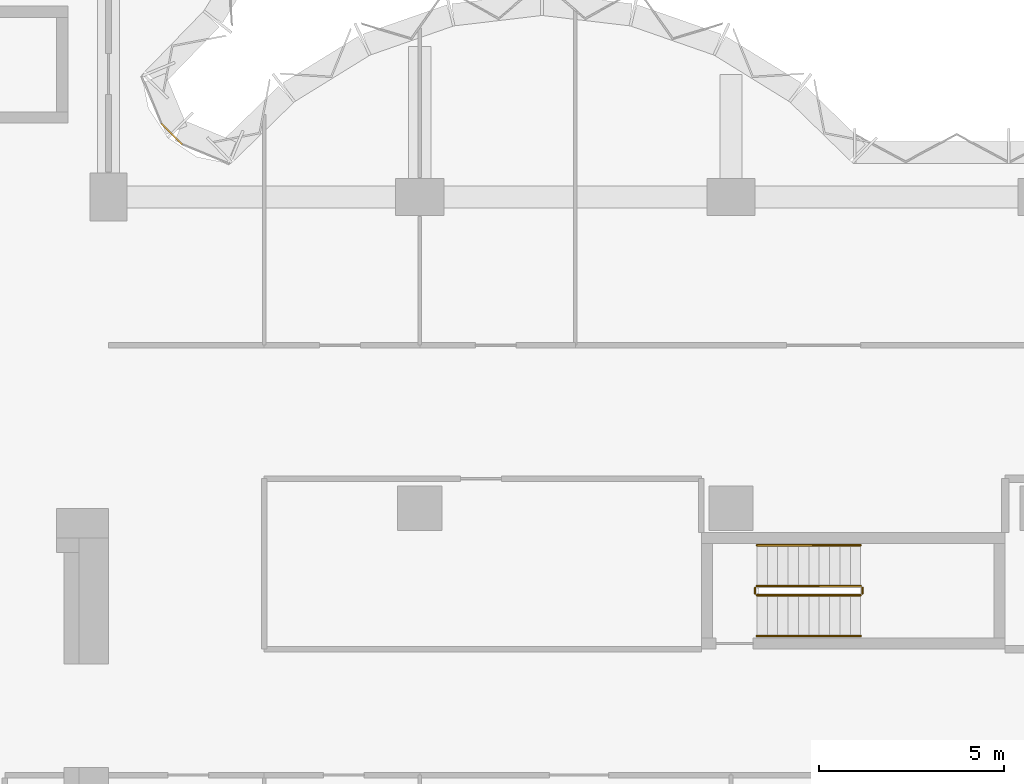
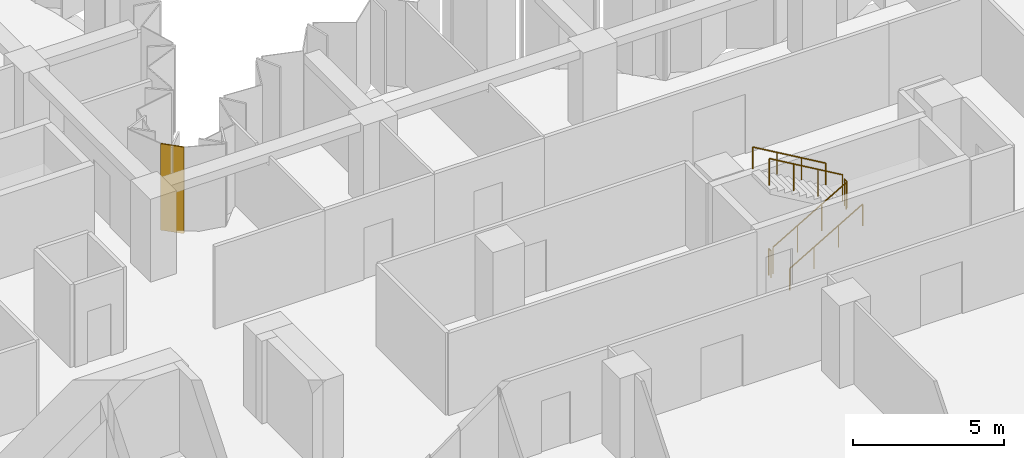
# One storey, part 13 of 13: 6 railings, 1 covering, 1 element without a shape of its own.
"""IFC4 building model written with IfcOpenShell, lengths in metres."""

from ifc_helpers import new_model, si_unit, direction, frame, origin, origin_2d, place, context, subcontext, project, spatial, polyline, circle, outline, extrude, material, layer, layer_set, type_object, element, aggregate, save


model = new_model("IFC4")

# Units and contexts
model_context = context("Model", 3, precision=1e-05, world=origin(), true_north=direction((0.0, 1.0)))
body_context = subcontext(model_context, "Body", "Model", "MODEL_VIEW")
ifc_project = project(units=[si_unit("LENGTHUNIT", "METRE"), si_unit("AREAUNIT", "SQUARE_METRE"), si_unit("VOLUMEUNIT", "CUBIC_METRE"), si_unit("PLANEANGLEUNIT", "RADIAN"), si_unit("MASSUNIT", "GRAM", prefix="KILO")], contexts=[model_context])

# Site, building, storey
site_placement = place(None, origin())
site = spatial("IfcSite", under=ifc_project, at=site_placement, CompositionType="ELEMENT")
building_placement = place(site_placement, origin())
building = spatial("IfcBuilding", under=site, at=building_placement, Name="Brevane Broadcast Tower", CompositionType="ELEMENT")
storey_placement = place(building_placement, frame((0.0, 0.0, 116.89990234375)))
storey = spatial("IfcBuildingStorey", under=building, at=storey_placement, Name="L28", CompositionType="ELEMENT", Elevation=116.89990234375)

# Railings
ifc_material_1 = material(Name="Steel S355", Category="steel")
railing_type_1 = type_object("IfcRailingType", Name="Exit stair guard", PredefinedType="GUARDRAIL", material=ifc_material_1)
railing_1_placement = place(storey_placement, frame((42.699951171875, 14.449951171875, 0.163818359375)))
element("IfcRailing", 1, at=railing_1_placement, inside=storey, type_object=railing_type_1, Name="L28 ST-4 stair guard 1", PredefinedType="GUARDRAIL", context=body_context, shape_type="SweptSolid", body=[
    extrude(circle(Radius=0.02392578125, at=origin_2d()), frame((0.0, 0.0, 1.076171875), z_axis=(0.863393664356, 0.0, 0.504530851732), x_axis=(0.0, 1.0, 0.0)), (0.0, 0.0, 1.0), 3.2431640625),
    extrude(circle(Radius=0.02099609375, at=origin_2d()), origin(), (0.0, 0.0, 1.0), 1.052001953125),
    extrude(circle(Radius=0.02099609375, at=origin_2d()), frame((0.933349609375, 0.0, 0.54541015625)), (0.0, 0.0, 1.0), 1.052001953125),
    extrude(circle(Radius=0.02099609375, at=origin_2d()), frame((1.86669921875, 0.0, 1.0908203125)), (0.0, 0.0, 1.0), 1.052001953125),
    extrude(circle(Radius=0.02099609375, at=origin_2d()), frame((2.800048828125, 0.0, 1.63623046875)), (0.0, 0.0, 1.0), 1.052001953125),
])
railing_2_placement = place(storey_placement, frame((45.550048828125, 14.5, 1.800048828125)))
element("IfcRailing", 2, at=railing_2_placement, inside=storey, type_object=railing_type_1, Name="L28 ST-4 stair guard 2", PredefinedType="GUARDRAIL", context=body_context, shape_type="SweptSolid", body=[
    extrude(circle(Radius=0.02392578125, at=origin_2d()), frame((0.0, 0.0, 1.076171875), z_axis=(0.0, 1.0, 0.0), x_axis=(-1.0, 0.0, 0.0)), (0.0, 0.0, 1.0), 0.14990234375),
    extrude(circle(Radius=0.02099609375, at=origin_2d()), origin(), (0.0, 0.0, 1.0), 1.052001953125),
    extrude(circle(Radius=0.02099609375, at=origin_2d()), frame((0.0, 0.14990234375, 0.0)), (0.0, 0.0, 1.0), 1.052001953125),
])
railing_3_placement = place(storey_placement, frame((45.5, 14.699951171875, 1.963623046875)))
element("IfcRailing", 3, at=railing_3_placement, inside=storey, type_object=railing_type_1, Name="L28 ST-4 stair guard 3", PredefinedType="GUARDRAIL", context=body_context, shape_type="SweptSolid", body=[
    extrude(circle(Radius=0.02392578125, at=origin_2d()), frame((0.0, 0.0, 1.076171875), z_axis=(-0.863360870873, 0.0, 0.504586966384), x_axis=(0.0, -1.0, 0.0)), (0.0, 0.0, 1.0), 3.2431640625),
    extrude(circle(Radius=0.02099609375, at=origin_2d()), origin(), (0.0, 0.0, 1.0), 1.052001953125),
    extrude(circle(Radius=0.02099609375, at=origin_2d()), frame((-0.933349609375, 0.0, 0.54541015625)), (0.0, 0.0, 1.0), 1.052001953125),
    extrude(circle(Radius=0.02099609375, at=origin_2d()), frame((-1.86669921875, 0.0, 1.091064453125)), (0.0, 0.0, 1.0), 1.052001953125),
    extrude(circle(Radius=0.02099609375, at=origin_2d()), frame((-2.800048828125, 0.0, 1.636474609375)), (0.0, 0.0, 1.0), 1.052001953125),
])
railing_4_placement = place(storey_placement, frame((42.64990234375, 14.5, 0.0)))
element("IfcRailing", 4, at=railing_4_placement, inside=storey, type_object=railing_type_1, Name="L28 ST-4 stair guard 4", PredefinedType="GUARDRAIL", context=body_context, shape_type="SweptSolid", body=[
    extrude(circle(Radius=0.02392578125, at=origin_2d()), frame((0.0, 0.0, 1.076171875), z_axis=(0.0, 1.0, 0.0), x_axis=(-1.0, 0.0, 0.0)), (0.0, 0.0, 1.0), 0.14990234375),
    extrude(circle(Radius=0.02099609375, at=origin_2d()), origin(), (0.0, 0.0, 1.0), 1.052001953125),
    extrude(circle(Radius=0.02099609375, at=origin_2d()), frame((0.0, 0.14990234375, 0.0)), (0.0, 0.0, 1.0), 1.052001953125),
])
railing_type_2 = type_object("IfcRailingType", Name="Exit stair handrail", PredefinedType="HANDRAIL", material=ifc_material_1)
railing_5_placement = place(storey_placement, frame((42.699951171875, 13.35009765625, 0.163818359375)))
element("IfcRailing", 5, at=railing_5_placement, inside=storey, type_object=railing_type_2, Name="L28 ST-4 stair handrail 1", PredefinedType="HANDRAIL", context=body_context, shape_type="SweptSolid", body=[
    extrude(circle(Radius=0.02392578125, at=origin_2d()), frame((0.0, 0.0, 0.8759765625), z_axis=(0.863393664356, 0.0, 0.504530851732), x_axis=(0.0, 1.0, 0.0)), (0.0, 0.0, 1.0), 3.2431640625),
    extrude(circle(Radius=0.02099609375, at=origin_2d()), origin(), (0.0, 0.0, 1.0), 0.851806640625),
    extrude(circle(Radius=0.02099609375, at=origin_2d()), frame((0.933349609375, 0.0, 0.54541015625)), (0.0, 0.0, 1.0), 0.851806640625),
    extrude(circle(Radius=0.02099609375, at=origin_2d()), frame((1.86669921875, 0.0, 1.0908203125)), (0.0, 0.0, 1.0), 0.851806640625),
    extrude(circle(Radius=0.02099609375, at=origin_2d()), frame((2.800048828125, 0.0, 1.63623046875)), (0.0, 0.0, 1.0), 0.851806640625),
])
railing_6_placement = place(storey_placement, frame((45.5, 15.800048828125, 1.963623046875)))
element("IfcRailing", 6, at=railing_6_placement, inside=storey, type_object=railing_type_2, Name="L28 ST-4 stair handrail 2", PredefinedType="HANDRAIL", context=body_context, shape_type="SweptSolid", body=[
    extrude(circle(Radius=0.02392578125, at=origin_2d()), frame((0.0, 0.0, 0.8759765625), z_axis=(-0.863360870873, 0.0, 0.504586966384), x_axis=(0.0, -1.0, 0.0)), (0.0, 0.0, 1.0), 3.2431640625),
    extrude(circle(Radius=0.02099609375, at=origin_2d()), origin(), (0.0, 0.0, 1.0), 0.851806640625),
    extrude(circle(Radius=0.02099609375, at=origin_2d()), frame((-0.933349609375, 0.0, 0.54541015625)), (0.0, 0.0, 1.0), 0.851806640625),
    extrude(circle(Radius=0.02099609375, at=origin_2d()), frame((-1.86669921875, 0.0, 1.091064453125)), (0.0, 0.0, 1.0), 0.851806640625),
    extrude(circle(Radius=0.02099609375, at=origin_2d()), frame((-2.800048828125, 0.0, 1.636474609375)), (0.0, 0.0, 1.0), 0.851806640625),
])

# Curtain wall, covering
ifc_material_2 = material(Name="Aluminium 6063-T6 bronze anodised", Category="aluminium")
curtain_wall_type = type_object("IfcCurtainWallType", Name="CW-1 curtain wall", PredefinedType="NOTDEFINED", material=ifc_material_2)
curtain_wall_placement = place(storey_placement, origin())
curtain_wall = element("IfcCurtainWall", 7, at=curtain_wall_placement, inside=storey, type_object=curtain_wall_type, Name="CW-1 typical tilted unit L28 inner corner", PredefinedType="NOTDEFINED")
ifc_material_3 = material(Name="Back-painted bronze glass shadow-box", Category="glass")
ifc_layer = layer(ifc_material_3, 0.0400390625)
ifc_layer_set = layer_set([ifc_layer], Name="Shadow-box panel 40")
covering_type = type_object("IfcCoveringType", Name="Shadow-box panel 40", PredefinedType="CLADDING", material=ifc_layer_set)
covering_placement = place(storey_placement, frame((0.0, 0.0, -0.14990234375)))
covering = element("IfcCovering", 8, at=covering_placement, type_object=covering_type, Name="Closure panel", PredefinedType="CLADDING", context=body_context, shape_type="SweptSolid", body=[
    extrude(outline(polyline([(27.17138671875, 26.60498046875), (27.2021484375, 26.635498046875), (26.635498046875, 27.2021484375), (26.60498046875, 27.17138671875), (27.17138671875, 26.60498046875)])), origin(), (0.0, 0.0, 1.0), 3.5),
])
aggregate(curtain_wall, [covering])

save(model, "model.ifc")
